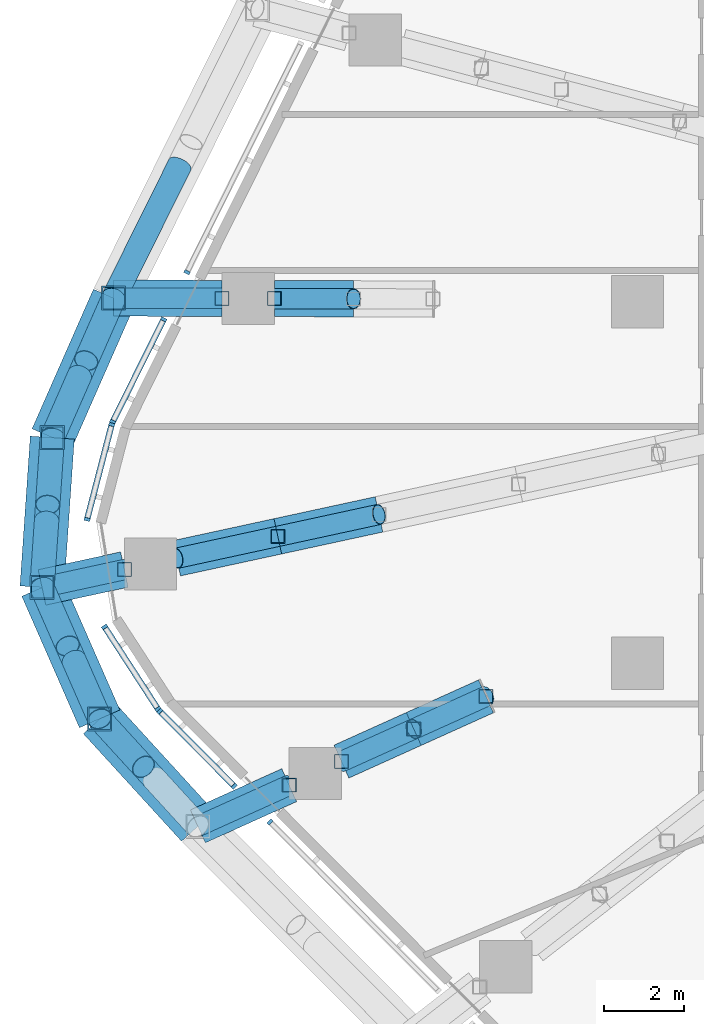
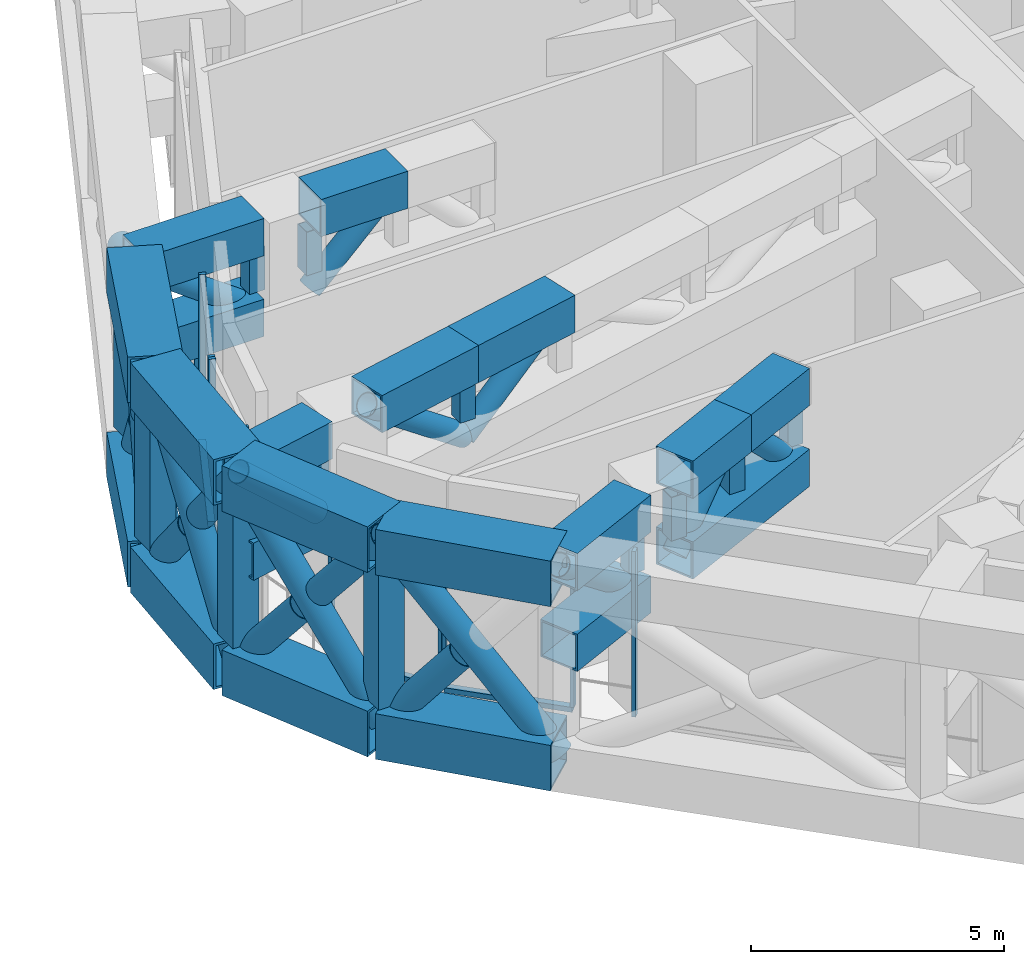
# One storey, part 4 of 30: 66 members, 3 elements without a shape of their own.
"""IFC4 building model written with IfcOpenShell, lengths in metres."""

import ifcopenshell
import ifcopenshell.guid

model = None  # the IFC model being written
_history = None  # IfcOwnerHistory: only IFC2X3 demands one
_inside = {}  # id of a spatial element -> (the spatial element, [elements in it])
_under = {}  # id of a project, library or spatial element -> (it, [spatial elements below it])
_declared = {}  # id of a project -> (the project, [libraries it declares])
_typed = {}  # id of a type object -> (the type object, [elements of that type])
_made_of = {}  # id of a material, layer set ... -> (it, [elements and type objects made of it])


def new_model(schema):
    """Start an empty IFC model of exactly this schema.

    Asked for "IFC4X3", IfcOpenShell would pick the latest addendum, in which some entities
    have other attributes; the version numbers below select the first issue.
    IFC2X3 requires an IfcOwnerHistory on every rooted entity: one is made here for all.
    """
    global model, _history
    if schema == "IFC4X3":
        model = ifcopenshell.file(schema_version=(4, 3, 0, 0))
    else:
        model = ifcopenshell.file(schema=schema)
    _inside.clear()
    _under.clear()
    _declared.clear()
    _typed.clear()
    _made_of.clear()
    _history = None
    if model.schema == "IFC2X3":
        org = make("IfcOrganization", Name="unknown")
        user = make(
            "IfcPersonAndOrganization",
            ThePerson=make("IfcPerson", FamilyName="unknown"),
            TheOrganization=org,
        )
        app = make(
            "IfcApplication",
            ApplicationDeveloper=org,
            Version="unknown",
            ApplicationFullName="unknown",
            ApplicationIdentifier="unknown",
        )
        _history = make(
            "IfcOwnerHistory",
            OwningUser=user,
            OwningApplication=app,
            ChangeAction="ADDED",
            CreationDate=0,
        )
    return model


def make(cls, **values):
    """One entity of the class cls with the attributes given. An attribute that is None is left unset."""
    return model.create_entity(
        cls, **{name: value for name, value in values.items() if value is not None}
    )


def rooted(cls, **values):
    """An entity with a GlobalId (a new one), such as an element, a storey or a relation."""
    return make(cls, GlobalId=ifcopenshell.guid.new(), OwnerHistory=_history, **values)


def si_unit(unit_type, name, prefix=None):
    """IfcSIUnit, for example si_unit("LENGTHUNIT", "METRE", prefix="MILLI")."""
    return make("IfcSIUnit", UnitType=unit_type, Prefix=prefix, Name=name)


def assignment(units):
    """IfcUnitAssignment: the units of a project."""
    return None if units is None else make("IfcUnitAssignment", Units=units)


def point(xyz):
    """IfcCartesianPoint."""
    return None if xyz is None else make("IfcCartesianPoint", Coordinates=xyz)


def direction(xyz):
    """IfcDirection."""
    return None if xyz is None else make("IfcDirection", DirectionRatios=xyz)


def frame(location, z_axis=None, x_axis=None):
    """IfcAxis2Placement3D, a coordinate frame: its origin and axes. An axis left out is left unset."""
    return make(
        "IfcAxis2Placement3D",
        Location=point(location),
        Axis=direction(z_axis),
        RefDirection=direction(x_axis),
    )


def frame_2d(location, x_axis=None):
    """IfcAxis2Placement2D, a coordinate frame in the plane: its origin and x axis."""
    return make(
        "IfcAxis2Placement2D", Location=point(location), RefDirection=direction(x_axis)
    )


def origin():
    """The frame at (0, 0, 0) with its axes left unset."""
    return frame((0.0, 0.0, 0.0))


def origin_2d():
    """The frame at (0, 0) in the plane with its x axis left unset."""
    return frame_2d((0.0, 0.0))


def place(relative_to, where):
    """IfcLocalPlacement: puts the frame where relative to a parent placement (None: the world)."""
    return make(
        "IfcLocalPlacement", PlacementRelTo=relative_to, RelativePlacement=where
    )


def context(
    kind, dimensions, precision=None, world=None, true_north=None, identifier=None
):
    """IfcGeometricRepresentationContext, for example the 3D "Model" context."""
    return make(
        "IfcGeometricRepresentationContext",
        ContextIdentifier=identifier,
        ContextType=kind,
        CoordinateSpaceDimension=dimensions,
        Precision=precision,
        WorldCoordinateSystem=world,
        TrueNorth=true_north,
    )


def subcontext(parent, identifier, kind, view, scale=None):
    """IfcGeometricRepresentationSubContext, for example "Body" below "Model"."""
    return make(
        "IfcGeometricRepresentationSubContext",
        ContextIdentifier=identifier,
        ContextType=kind,
        ParentContext=parent,
        TargetScale=scale,
        TargetView=view,
    )


def project(units=None, contexts=None):
    """IfcProject with its units and contexts."""
    return rooted(
        "IfcProject",
        Name="project",
        RepresentationContexts=contexts,
        UnitsInContext=assignment(units),
    )


def spatial(cls, under=None, at=None, **own):
    """A site, building, storey or space (cls), placed at a placement, below another one or the project."""
    s = rooted(cls, ObjectPlacement=at, **own)
    if under is not None:
        _under.setdefault(under.id(), (under, []))[1].append(s)
    return s


def profile(cls, at=None, kind="AREA", **sizes):
    """A parametric profile (cls). Its sizes go by their IFC names, for example OverallWidth=200.0."""
    return make(cls, ProfileType=kind, Position=at, **sizes)


def rectangle(**sizes):
    """IfcRectangleProfileDef."""
    return profile("IfcRectangleProfileDef", **sizes)


def hollow_rectangle(**sizes):
    """IfcRectangleHollowProfileDef."""
    return profile("IfcRectangleHollowProfileDef", **sizes)


def hollow_circle(**sizes):
    """IfcCircleHollowProfileDef."""
    return profile("IfcCircleHollowProfileDef", **sizes)


def extrude(swept, where, along, depth):
    """IfcExtrudedAreaSolid: the profile swept, set in the frame where, extruded along a direction by depth."""
    return make(
        "IfcExtrudedAreaSolid",
        SweptArea=swept,
        Position=where,
        ExtrudedDirection=direction(along),
        Depth=depth,
    )


def shape(context_of_items, identifier, shape_type, items):
    """IfcShapeRepresentation: the items that make up one representation, for example the "Body"."""
    return make(
        "IfcShapeRepresentation",
        ContextOfItems=context_of_items,
        RepresentationIdentifier=identifier,
        RepresentationType=shape_type,
        Items=items,
    )


def material(Name=None, Category=None):
    """IfcMaterial."""
    return make("IfcMaterial", Name=Name, Category=Category)


def layer(
    of_material, thickness, ventilated=None, Name=None, Category=None, Priority=None
):
    """IfcMaterialLayer: one layer of a wall or slab, of a material (None: an air gap)."""
    return make(
        "IfcMaterialLayer",
        Material=of_material,
        LayerThickness=thickness,
        IsVentilated=ventilated,
        Name=Name,
        Category=Category,
        Priority=Priority,
    )


def layer_set(layers, Name=None):
    """IfcMaterialLayerSet."""
    return make("IfcMaterialLayerSet", MaterialLayers=layers, LayerSetName=Name)


def material_profile(
    of_material, cross_section, Name=None, Category=None, Priority=None
):
    """IfcMaterialProfile: a cross section and its material."""
    return make(
        "IfcMaterialProfile",
        Name=Name,
        Material=of_material,
        Profile=cross_section,
        Priority=Priority,
        Category=Category,
    )


def profile_set(profiles, Name=None, composite=None):
    """IfcMaterialProfileSet."""
    return make(
        "IfcMaterialProfileSet",
        Name=Name,
        MaterialProfiles=profiles,
        CompositeProfile=composite,
    )


def made_of(thing, what):
    """Note that an element or type object is made of a material, layer set ...; save() writes the relation."""
    if what is not None:
        _made_of.setdefault(what.id(), (what, []))[1].append(thing)
    return thing


def type_object(cls, material=None, **own):
    """A type object (cls), such as IfcWallType, which elements share."""
    return made_of(rooted(cls, **own), material)


def element(
    cls,
    number,
    at=None,
    inside=None,
    cuts=None,
    type_object=None,
    material=None,
    context=None,
    identifier="Body",
    shape_type=None,
    held_by="IfcProductDefinitionShape",
    body=None,
    shapes=None,
    **own,
):
    """One element of the class cls, such as IfcWall. Its Tag is "e" and its number.

    at: its placement. inside: the storey or other place that contains it. cuts: it is an
    opening in that element (IfcRelVoidsElement). A single representation is given by context,
    identifier, shape_type and body (its items); several are given by shapes. held_by: the class
    of the entity that holds the representations. save() writes the other relations.
    """
    e = rooted(cls, Tag="e%d" % number, ObjectPlacement=at, **own)
    if body is not None:
        shapes = [shape(context, identifier, shape_type, body)]
    if shapes is not None:
        e.Representation = make(held_by, Representations=shapes)
    if inside is not None:
        _inside.setdefault(inside.id(), (inside, []))[1].append(e)
    if cuts is not None:
        rooted(
            "IfcRelVoidsElement", RelatingBuildingElement=cuts, RelatedOpeningElement=e
        )
    if type_object is not None:
        _typed.setdefault(type_object.id(), (type_object, []))[1].append(e)
    return made_of(e, material)


def aggregate(whole, parts):
    """IfcRelAggregates: a whole, such as a stair, and the parts it consists of."""
    return rooted("IfcRelAggregates", RelatingObject=whole, RelatedObjects=parts)


def save(model, path):
    """Write the relations noted so far, then the file.

    IfcRelAggregates (storeys below a building ...), IfcRelContainedInSpatialStructure (elements
    in a storey), IfcRelDefinesByType, IfcRelAssociatesMaterial and IfcRelDeclares: one each for
    every whole, place, type object, material and project.
    """
    for whole, parts in _under.values():
        aggregate(whole, parts)
    for where, things in _inside.values():
        rooted(
            "IfcRelContainedInSpatialStructure",
            RelatedElements=things,
            RelatingStructure=where,
        )
    for kind, things in _typed.values():
        rooted("IfcRelDefinesByType", RelatedObjects=things, RelatingType=kind)
    for what, things in _made_of.values():
        rooted("IfcRelAssociatesMaterial", RelatedObjects=things, RelatingMaterial=what)
    for by, libraries in _declared.values():
        rooted("IfcRelDeclares", RelatingContext=by, RelatedDefinitions=libraries)
    model.write(path)


model = new_model("IFC4")

# Units and contexts
model_context = context("Model", 3, precision=1e-05, world=origin(), true_north=direction((0.0, 1.0)))
body_context = subcontext(model_context, "Body", "Model", "MODEL_VIEW")
ifc_project = project(units=[si_unit("LENGTHUNIT", "METRE"), si_unit("AREAUNIT", "SQUARE_METRE"), si_unit("VOLUMEUNIT", "CUBIC_METRE"), si_unit("PLANEANGLEUNIT", "RADIAN"), si_unit("MASSUNIT", "GRAM", prefix="KILO")], contexts=[model_context])

# Site, building, storey
site_placement = place(None, origin())
site = spatial("IfcSite", under=ifc_project, at=site_placement, CompositionType="ELEMENT")
building_placement = place(site_placement, origin())
building = spatial("IfcBuilding", under=site, at=building_placement, Name="Dongbaek Canopy Tower", CompositionType="ELEMENT")
storey_placement = place(building_placement, frame((0.0, 0.0, 145.60009765625)))
storey = spatial("IfcBuildingStorey", under=building, at=storey_placement, Name="L32", CompositionType="ELEMENT", Elevation=145.60009765625)

# Members
ifc_material_1 = material(Name="Steel S355", Category="steel")
ifc_material_profile_1 = material_profile(ifc_material_1, hollow_circle(Radius=0.304931640625, WallThickness=0.01611328125, at=origin_2d()), Name="BELT BRACE CHS 610.0x16.0 Steel S355")
ifc_profile_set_1 = profile_set([ifc_material_profile_1], Name="Steel S355")
member_type_1 = type_object("IfcMemberType", Name="BELT BRACE CHS 610.0x16.0 Steel S355", PredefinedType="BRACE", material=ifc_profile_set_1)
member_1_placement = place(storey_placement, frame((-28.94580078125, -13.06298828125, 0.5498046875), z_axis=(-0.426032087695, 0.466474942097, 0.775175972699), x_axis=(-0.738390758255, -0.674373107503, 0.0)))
element("IfcMember", 1, at=member_1_placement, inside=storey, type_object=member_type_1, Name="BELT:L32:7:D0:0", PredefinedType="BRACE", context=body_context, shape_type="SweptSolid", body=[
    extrude(hollow_circle(Radius=0.304931640625, WallThickness=0.01611328125, at=origin_2d()), origin(), (0.0, 0.0, 1.0), 5.740966796875),
])
member_2_placement = place(storey_placement, frame((-31.3916015625, -10.385009765625, 0.5498046875), z_axis=(0.425984560328, -0.466531802912, 0.775167872937), x_axis=(0.738469146598, 0.674287267804, 0.0)))
element("IfcMember", 2, at=member_2_placement, inside=storey, type_object=member_type_1, Name="BELT:L32:7:D0:1", PredefinedType="BRACE", context=body_context, shape_type="SweptSolid", body=[
    extrude(hollow_circle(Radius=0.304931640625, WallThickness=0.01611328125, at=origin_2d()), origin(), (0.0, 0.0, 1.0), 2.55908203125),
])
member_3_placement = place(storey_placement, frame((-31.3916015625, -10.385009765625, 0.5498046875), z_axis=(-0.251479021244, 0.573409811154, 0.779717570885), x_axis=(-0.915797907727, -0.401639380793, 0.0)))
element("IfcMember", 3, at=member_3_placement, inside=storey, type_object=member_type_1, Name="BELT:L32:7:D1:0", PredefinedType="BRACE", context=body_context, shape_type="SweptSolid", body=[
    extrude(hollow_circle(Radius=0.304931640625, WallThickness=0.01611328125, at=origin_2d()), origin(), (0.0, 0.0, 1.0), 5.70751953125),
])
for number, where, z_axis, x_axis, name in (
    (4, (-32.826904296875, -7.1123046875, 0.5498046875), (0.251417245985, -0.573446519406, 0.779710496147), (0.915843648361, 0.401535069151, 0.0), "BELT:L32:7:D1:1"),
    (5, (-31.3916015625, -10.385009765625, 5.0), (-0.25152109603, 0.573368182242, -0.779734612445), (-0.915762461031, -0.401720194869, 0.0), "BELT:L32:7:D1:2"),
):
    element("IfcMember", number, at=place(storey_placement, frame(where, z_axis=z_axis, x_axis=x_axis)), inside=storey, type_object=member_type_1, Name=name, PredefinedType="BRACE", context=body_context, shape_type="SweptSolid", body=[
        extrude(hollow_circle(Radius=0.304931640625, WallThickness=0.01611328125, at=origin_2d()), origin(), (0.0, 0.0, 1.0), 2.541259765625),
    ])
member_4_placement = place(storey_placement, frame((-32.826904296875, -7.1123046875, 0.5498046875), z_axis=(0.04393791395, 0.641720374202, 0.765679058778), x_axis=(-0.997664211535, 0.068309011276, 0.0)))
element("IfcMember", 6, at=member_4_placement, inside=storey, type_object=member_type_1, Name="BELT:L32:8:D0:0", PredefinedType="BRACE", context=body_context, shape_type="SweptSolid", body=[
    extrude(hollow_circle(Radius=0.304931640625, WallThickness=0.01611328125, at=origin_2d()), origin(), (0.0, 0.0, 1.0), 5.81201171875),
])
for number, where, z_axis, x_axis, name in (
    (7, (-32.571533203125, -3.382568359375, 0.5498046875), (-0.043910848168, -0.641737770336, 0.765666031333), (0.997667204321, -0.068265287094, 0.0), "BELT:L32:8:D0:1"),
    (8, (-32.826904296875, -7.1123046875, 5.0), (0.043913497839, 0.641682460921, -0.765712233188), (-0.997666522959, 0.068275244171, 0.0), "BELT:L32:8:D0:2"),
):
    element("IfcMember", number, at=place(storey_placement, frame(where, z_axis=z_axis, x_axis=x_axis)), inside=storey, type_object=member_type_1, Name=name, PredefinedType="BRACE", context=body_context, shape_type="SweptSolid", body=[
        extrude(hollow_circle(Radius=0.304931640625, WallThickness=0.01611328125, at=origin_2d()), origin(), (0.0, 0.0, 1.0), 2.596435546875),
    ])
member_5_placement = place(storey_placement, frame((-32.571533203125, -3.382568359375, 0.5498046875), z_axis=(0.26126202777, 0.594141569862, 0.760748281501), x_axis=(-0.91540603199, 0.402531733651, 0.0)))
element("IfcMember", 9, at=member_5_placement, inside=storey, type_object=member_type_1, Name="BELT:L32:8:D1:0", PredefinedType="BRACE", context=body_context, shape_type="SweptSolid", body=[
    extrude(hollow_circle(Radius=0.304931640625, WallThickness=0.01611328125, at=origin_2d()), origin(), (0.0, 0.0, 1.0), 5.849853515625),
])
for number, where, z_axis, x_axis, name in (
    (10, (-31.043212890625, 0.093017578125, 0.5498046875), (-0.261323273324, -0.594137127851, 0.760730714595), (0.915370149954, -0.402613323888, 0.0), "BELT:L32:8:D1:1"),
    (11, (-32.571533203125, -3.382568359375, 5.0), (0.261221827511, 0.594211995628, -0.760707079686), (-0.915446428539, 0.402439854481, 0.0), "BELT:L32:8:D1:2"),
):
    element("IfcMember", number, at=place(storey_placement, frame(where, z_axis=z_axis, x_axis=x_axis)), inside=storey, type_object=member_type_1, Name=name, PredefinedType="BRACE", context=body_context, shape_type="SweptSolid", body=[
        extrude(hollow_circle(Radius=0.304931640625, WallThickness=0.01611328125, at=origin_2d()), origin(), (0.0, 0.0, 1.0), 2.615966796875),
    ])
member_6_placement = place(storey_placement, frame((-31.043212890625, 0.093017578125, 5.0), z_axis=(0.389303624486, 0.783678107313, -0.484036478047), x_axis=(-0.895583177373, 0.444894113701, 0.0)))
element("IfcMember", 12, at=member_6_placement, inside=storey, type_object=member_type_1, Name="BELT:L32:9:D0:2", PredefinedType="BRACE", context=body_context, shape_type="SweptSolid", body=[
    extrude(hollow_circle(Radius=0.304931640625, WallThickness=0.01611328125, at=origin_2d()), origin(), (0.0, 0.0, 1.0), 4.23681640625),
])
ifc_material_2 = material(Name="Steel S355", Category="steel")
ifc_material_profile_2 = material_profile(ifc_material_2, hollow_rectangle(XDim=1.10009765625, YDim=1.10009765625, WallThickness=0.054931640625, at=origin_2d()), Name="BELT CHORD BOX 1100x1100x55 Steel S355")
ifc_profile_set_2 = profile_set([ifc_material_profile_2], Name="Steel S355")
member_type_2 = type_object("IfcMemberType", Name="BELT CHORD BOX 1100x1100x55 Steel S355", PredefinedType="CHORD", material=ifc_profile_set_2)
for number, where, z_axis, x_axis, name in (
    (13, (-28.94580078125, -13.06298828125, 0.5498046875), (-0.674373107503, 0.738390758255, 0.0), (-0.738390758255, -0.674373107503, 0.0), "BELT:L32:7:CB0"),
    (14, (-28.94580078125, -13.06298828125, 5.0), (-0.674373107503, 0.738390758255, 0.0), (-0.738390758255, -0.674373107503, 0.0), "BELT:L32:7:CT0"),
):
    element("IfcMember", number, at=place(storey_placement, frame(where, z_axis=z_axis, x_axis=x_axis)), inside=storey, type_object=member_type_2, Name=name, PredefinedType="CHORD", context=body_context, shape_type="SweptSolid", body=[
        extrude(hollow_rectangle(XDim=1.10009765625, YDim=1.10009765625, WallThickness=0.054931640625, at=origin_2d()), origin(), (0.0, 0.0, 1.0), 3.626708984375),
    ])
for number, where, z_axis, x_axis, name in (
    (15, (-31.3916015625, -10.385009765625, 0.5498046875), (-0.401639380793, 0.915797907727, 0.0), (-0.915797907727, -0.401639380793, 0.0), "BELT:L32:7:CB1"),
    (16, (-31.3916015625, -10.385009765625, 5.0), (-0.401639380793, 0.915797907727, 0.0), (-0.915797907727, -0.401639380793, 0.0), "BELT:L32:7:CT1"),
):
    element("IfcMember", number, at=place(storey_placement, frame(where, z_axis=z_axis, x_axis=x_axis)), inside=storey, type_object=member_type_2, Name=name, PredefinedType="CHORD", context=body_context, shape_type="SweptSolid", body=[
        extrude(hollow_rectangle(XDim=1.10009765625, YDim=1.10009765625, WallThickness=0.054931640625, at=origin_2d()), origin(), (0.0, 0.0, 1.0), 3.57373046875),
    ])
for number, where, z_axis, x_axis, name in (
    (17, (-32.826904296875, -7.1123046875, 0.5498046875), (0.068309011276, 0.997664211535, 0.0), (-0.997664211535, 0.068309011276, 0.0), "BELT:L32:8:CB0"),
    (18, (-32.826904296875, -7.1123046875, 5.0), (0.068309011276, 0.997664211535, 0.0), (-0.997664211535, 0.068309011276, 0.0), "BELT:L32:8:CT0"),
):
    element("IfcMember", number, at=place(storey_placement, frame(where, z_axis=z_axis, x_axis=x_axis)), inside=storey, type_object=member_type_2, Name=name, PredefinedType="CHORD", context=body_context, shape_type="SweptSolid", body=[
        extrude(hollow_rectangle(XDim=1.10009765625, YDim=1.10009765625, WallThickness=0.054931640625, at=origin_2d()), origin(), (0.0, 0.0, 1.0), 3.738525390625),
    ])
for number, where, z_axis, x_axis, name in (
    (19, (-32.571533203125, -3.382568359375, 0.5498046875), (0.402531733651, 0.91540603199, 0.0), (-0.91540603199, 0.402531733651, 0.0), "BELT:L32:8:CB1"),
    (20, (-32.571533203125, -3.382568359375, 5.0), (0.402531733651, 0.91540603199, 0.0), (-0.91540603199, 0.402531733651, 0.0), "BELT:L32:8:CT1"),
):
    element("IfcMember", number, at=place(storey_placement, frame(where, z_axis=z_axis, x_axis=x_axis)), inside=storey, type_object=member_type_2, Name=name, PredefinedType="CHORD", context=body_context, shape_type="SweptSolid", body=[
        extrude(hollow_rectangle(XDim=1.10009765625, YDim=1.10009765625, WallThickness=0.054931640625, at=origin_2d()), origin(), (0.0, 0.0, 1.0), 3.796875),
    ])
ifc_material_3 = material(Name="Steel S355", Category="steel")
ifc_material_profile_3 = material_profile(ifc_material_3, hollow_rectangle(XDim=0.60009765625, YDim=0.60009765625, WallThickness=0.031982421875, at=origin_2d()), Name="BELT POST BOX 600x600x32 Steel S355")
ifc_profile_set_3 = profile_set([ifc_material_profile_3], Name="Steel S355")
member_type_3 = type_object("IfcMemberType", Name="BELT POST BOX 600x600x32 Steel S355", PredefinedType="POST", material=ifc_profile_set_3)
for number, where, z_axis, x_axis, name in (
    (21, (-31.3916015625, -10.385009765625, 1.099853515625), (0.0, 0.0, 1.0), (1.0, 0.0, 0.0), "BELT:L32:7:P1"),
    (22, (-32.826904296875, -7.1123046875, 1.099853515625), (0.0, 0.0, 1.0), (1.0, 0.0, 0.0), "BELT:L32:8:P0"),
    (23, (-32.571533203125, -3.382568359375, 1.099853515625), (0.0, 0.0, 1.0), (1.0, 0.0, 0.0), "BELT:L32:8:P1"),
    (24, (-31.043212890625, 0.093017578125, 1.099853515625), (0.0, 0.0, 1.0), (1.0, 0.0, 0.0), "BELT:L32:9:P0"),
):
    element("IfcMember", number, at=place(storey_placement, frame(where, z_axis=z_axis, x_axis=x_axis)), inside=storey, type_object=member_type_3, Name=name, PredefinedType="POST", context=body_context, shape_type="SweptSolid", body=[
        extrude(hollow_rectangle(XDim=0.60009765625, YDim=0.60009765625, WallThickness=0.031982421875, at=origin_2d()), origin(), (0.0, 0.0, 1.0), 3.35009765625),
    ])
ifc_material_4 = material(Name="Steel S355", Category="steel")
ifc_material_profile_4 = material_profile(ifc_material_4, hollow_circle(Radius=0.25390625, WallThickness=0.01611328125, at=origin_2d()), Name="BRACE CHS 508.0x16.0 Steel S355")
ifc_profile_set_4 = profile_set([ifc_material_profile_4], Name="Steel S355")
member_type_4 = type_object("IfcMemberType", Name="BRACE CHS 508.0x16.0 Steel S355", PredefinedType="BRACE", material=ifc_profile_set_4)
member_7_placement = place(storey_placement, frame((-21.7705078125, -9.824951171875, 3.14990234375), z_axis=(-0.648648985083, -0.292657332977, 0.702571120675), x_axis=(0.411258807474, -0.91151861927, 0.0)))
element("IfcMember", 25, at=member_7_placement, inside=storey, type_object=member_type_4, Name="TRUSS:L32:7:D0", PredefinedType="BRACE", context=body_context, shape_type="SweptSolid", body=[
    extrude(hollow_circle(Radius=0.25390625, WallThickness=0.01611328125, at=origin_2d()), origin(), (0.0, 0.0, 1.0), 2.775390625),
])
member_8_placement = place(storey_placement, frame((-23.57080078125, -10.63720703125, 5.099853515625), z_axis=(-0.648632284783, -0.292737760206, -0.702553032081), x_axis=(0.411361505094, -0.911472277212, 0.0)))
element("IfcMember", 26, at=member_8_placement, inside=storey, type_object=member_type_4, Name="TRUSS:L32:7:D1", PredefinedType="BRACE", context=body_context, shape_type="SweptSolid", body=[
    extrude(hollow_circle(Radius=0.25390625, WallThickness=0.01611328125, at=origin_2d()), origin(), (0.0, 0.0, 1.0), 2.775634765625),
])
member_9_placement = place(storey_placement, frame((-25.068115234375, 0.0751953125, 5.099853515625), z_axis=(-0.711577367215, 0.002111244507, -0.702604578062), x_axis=(-0.002966979152, -0.999995598508, 0.0)))
element("IfcMember", 27, at=member_9_placement, inside=storey, type_object=member_type_4, Name="TRUSS:L32:9:D1", PredefinedType="BRACE", context=body_context, shape_type="SweptSolid", body=[
    extrude(hollow_circle(Radius=0.25390625, WallThickness=0.01611328125, at=origin_2d()), origin(), (0.0, 0.0, 1.0), 2.775390625),
])
member_10_placement = place(storey_placement, frame((-26.6708984375, -12.036376953125, 3.14990234375), z_axis=(-0.718259746767, -0.324134174196, 0.615662223377), x_axis=(0.411332476254, -0.91148537782, 0.0)))
element("IfcMember", 28, at=member_10_placement, inside=storey, type_object=member_type_4, Name="TRUSS:L32:7x:D0", PredefinedType="BRACE", context=body_context, shape_type="SweptSolid", body=[
    extrude(hollow_circle(Radius=0.25390625, WallThickness=0.01611328125, at=origin_2d()), origin(), (0.0, 0.0, 1.0), 3.167236328125),
])
member_11_placement = place(storey_placement, frame((-30.77490234375, -6.667724609375, 3.14990234375), z_axis=(-0.716124267147, -0.155153157701, 0.68050975868), x_axis=(0.211744091569, -0.977325145326, 0.0)))
element("IfcMember", 29, at=member_11_placement, inside=storey, type_object=member_type_4, Name="TRUSS:L32:8x:D0", PredefinedType="BRACE", context=body_context, shape_type="SweptSolid", body=[
    extrude(hollow_circle(Radius=0.25390625, WallThickness=0.01611328125, at=origin_2d()), origin(), (0.0, 0.0, 1.0), 2.865478515625),
])
member_12_placement = place(storey_placement, frame((-28.343017578125, 0.0849609375, 3.14990234375), z_axis=(-0.810703916061, 0.002418917652, 0.585451372294), x_axis=(-0.002983711854, -0.999995548722, 0.0)))
element("IfcMember", 30, at=member_12_placement, inside=storey, type_object=member_type_4, Name="TRUSS:L32:9x:D0", PredefinedType="BRACE", context=body_context, shape_type="SweptSolid", body=[
    extrude(hollow_circle(Radius=0.25390625, WallThickness=0.01611328125, at=origin_2d()), origin(), (0.0, 0.0, 1.0), 3.33056640625),
])
ifc_material_5 = material(Name="Steel S355", Category="steel")
ifc_material_profile_5 = material_profile(ifc_material_5, hollow_rectangle(XDim=0.89990234375, YDim=0.89990234375, WallThickness=0.044921875, at=origin_2d()), Name="CHORD BOX 900x900x45 Steel S355")
ifc_profile_set_5 = profile_set([ifc_material_profile_5], Name="Steel S355")
member_type_5 = type_object("IfcMemberType", Name="CHORD BOX 900x900x45 Steel S355", PredefinedType="CHORD", material=ifc_profile_set_5)
member_13_placement = place(storey_placement, frame((-21.7705078125, -9.824951171875, 3.14990234375), z_axis=(-0.911495449098, -0.411310158242, 0.0), x_axis=(0.411310158242, -0.911495449098, 0.0)))
element("IfcMember", 31, at=member_13_placement, inside=storey, type_object=member_type_5, Name="TRUSS:L32:7:CB", PredefinedType="CHORD", context=body_context, shape_type="SweptSolid", body=[
    extrude(hollow_rectangle(XDim=0.89990234375, YDim=0.89990234375, WallThickness=0.044921875, at=origin_2d()), origin(), (0.0, 0.0, 1.0), 3.9501953125),
])
for number, where, z_axis, x_axis, name in (
    (32, (-21.7705078125, -9.824951171875, 5.099853515625), (-0.91151861927, -0.411258807474, 0.0), (0.411258807474, -0.91151861927, 0.0), "TRUSS:L32:7:CT0"),
    (33, (-23.57080078125, -10.63720703125, 5.099853515625), (-0.911472277212, -0.411361505094, 0.0), (0.411361505094, -0.911472277212, 0.0), "TRUSS:L32:7:CT1"),
):
    element("IfcMember", number, at=place(storey_placement, frame(where, z_axis=z_axis, x_axis=x_axis)), inside=storey, type_object=member_type_5, Name=name, PredefinedType="CHORD", context=body_context, shape_type="SweptSolid", body=[
        extrude(hollow_rectangle(XDim=0.89990234375, YDim=0.89990234375, WallThickness=0.044921875, at=origin_2d()), origin(), (0.0, 0.0, 1.0), 1.97509765625),
    ])
member_14_placement = place(storey_placement, frame((-25.068115234375, 0.0751953125, 5.099853515625), z_axis=(-0.999995598508, 0.002966979152, 0.0), x_axis=(-0.002966979152, -0.999995598508, 0.0)))
element("IfcMember", 34, at=member_14_placement, inside=storey, type_object=member_type_5, Name="TRUSS:L32:9:CT1", PredefinedType="CHORD", context=body_context, shape_type="SweptSolid", body=[
    extrude(hollow_rectangle(XDim=0.89990234375, YDim=0.89990234375, WallThickness=0.044921875, at=origin_2d()), origin(), (0.0, 0.0, 1.0), 1.974853515625),
])
for number, where, z_axis, x_axis, name in (
    (35, (-26.6708984375, -12.036376953125, 3.14990234375), (-0.91148537782, -0.411332476254, 0.0), (0.411332476254, -0.91148537782, 0.0), "TRUSS:L32:7x:CB"),
    (36, (-26.6708984375, -12.036376953125, 5.099853515625), (-0.91148537782, -0.411332476254, 0.0), (0.411332476254, -0.91148537782, 0.0), "TRUSS:L32:7x:CT0"),
):
    element("IfcMember", number, at=place(storey_placement, frame(where, z_axis=z_axis, x_axis=x_axis)), inside=storey, type_object=member_type_5, Name=name, PredefinedType="CHORD", context=body_context, shape_type="SweptSolid", body=[
        extrude(hollow_rectangle(XDim=0.89990234375, YDim=0.89990234375, WallThickness=0.044921875, at=origin_2d()), origin(), (0.0, 0.0, 1.0), 2.495849609375),
    ])
for number, where, z_axis, x_axis, name in (
    (37, (-30.77490234375, -6.667724609375, 3.14990234375), (-0.977325145326, -0.211744091569, 0.0), (0.211744091569, -0.977325145326, 0.0), "TRUSS:L32:8x:CB"),
    (38, (-30.77490234375, -6.667724609375, 5.099853515625), (-0.977325145326, -0.211744091569, 0.0), (0.211744091569, -0.977325145326, 0.0), "TRUSS:L32:8x:CT0"),
):
    element("IfcMember", number, at=place(storey_placement, frame(where, z_axis=z_axis, x_axis=x_axis)), inside=storey, type_object=member_type_5, Name=name, PredefinedType="CHORD", context=body_context, shape_type="SweptSolid", body=[
        extrude(hollow_rectangle(XDim=0.89990234375, YDim=0.89990234375, WallThickness=0.044921875, at=origin_2d()), origin(), (0.0, 0.0, 1.0), 2.099609375),
    ])
for number, where, z_axis, x_axis, name in (
    (39, (-28.343017578125, 0.0849609375, 3.14990234375), (-0.999995548722, 0.002983711854, 0.0), (-0.002983711854, -0.999995548722, 0.0), "TRUSS:L32:9x:CB"),
    (40, (-28.343017578125, 0.0849609375, 5.099853515625), (-0.999995548722, 0.002983711854, 0.0), (-0.002983711854, -0.999995548722, 0.0), "TRUSS:L32:9x:CT0"),
):
    element("IfcMember", number, at=place(storey_placement, frame(where, z_axis=z_axis, x_axis=x_axis)), inside=storey, type_object=member_type_5, Name=name, PredefinedType="CHORD", context=body_context, shape_type="SweptSolid", body=[
        extrude(hollow_rectangle(XDim=0.89990234375, YDim=0.89990234375, WallThickness=0.044921875, at=origin_2d()), origin(), (0.0, 0.0, 1.0), 2.7001953125),
    ])

# Curtain wall, members
ifc_material_6 = material(Name="Aluminium 6063-T6 pale anodised", Category="aluminium")
ifc_layer = layer(ifc_material_6, 0.14990234375)
ifc_layer_set = layer_set([ifc_layer], Name="CW-7 louvre curtain wall")
curtain_wall_type = type_object("IfcCurtainWallType", Name="CW-7 louvre curtain wall", PredefinedType="NOTDEFINED", material=ifc_layer_set)
curtain_wall_1_placement = place(storey_placement, origin())
curtain_wall_1 = element("IfcCurtainWall", 41, at=curtain_wall_1_placement, inside=storey, type_object=curtain_wall_type, Name="CW-7 louvre wall L32 F2", PredefinedType="NOTDEFINED")
ifc_material_7 = material(Name="Aluminium 6063-T6 pale anodised", Category="aluminium")
ifc_material_profile_6 = material_profile(ifc_material_7, rectangle(XDim=0.14990234375, YDim=0.080078125, at=origin_2d()), Name="CW-7 mullion 80 x 150")
ifc_profile_set_6 = profile_set([ifc_material_profile_6], Name="Aluminium 6063-T6 pale anodised")
member_type_6 = type_object("IfcMemberType", Name="CW-7 mullion 80 x 150", PredefinedType="MULLION", material=ifc_profile_set_6)
member_15_placement = place(storey_placement, frame((-29.216552734375, 0.735595703125, 0.77490234375), z_axis=(0.0, 0.0, 1.0), x_axis=(-0.895565680556, 0.444929333502, 0.0)))
member_15 = element("IfcMember", 42, at=member_15_placement, type_object=member_type_6, Name="CW-7 mullion L32 F2.4.2", PredefinedType="MULLION", context=body_context, shape_type="SweptSolid", body=[
    extrude(rectangle(XDim=0.14990234375, YDim=0.080078125, at=origin_2d()), origin(), (0.0, 0.0, 1.0), 4.0),
])
member_16_placement = place(storey_placement, frame((-29.79931640625, -0.437255859375, 0.77490234375), z_axis=(0.0, 0.0, 1.0), x_axis=(-0.895565680556, 0.444929333502, 0.0)))
member_16 = element("IfcMember", 43, at=member_16_placement, type_object=member_type_6, Name="CW-7 mullion L32 F2.5.1", PredefinedType="MULLION", context=body_context, shape_type="SweptSolid", body=[
    extrude(rectangle(XDim=0.14990234375, YDim=0.080078125, at=origin_2d()), origin(), (0.0, 0.0, 1.0), 4.0),
])
member_17_placement = place(storey_placement, frame((-31.06689453125, -2.98876953125, 0.77490234375), z_axis=(0.0, 0.0, 1.0), x_axis=(-0.895565680556, 0.444929333502, 0.0)))
member_17 = element("IfcMember", 44, at=member_17_placement, type_object=member_type_6, Name="CW-7 mullion L32 F2.5.2", PredefinedType="MULLION", context=body_context, shape_type="SweptSolid", body=[
    extrude(rectangle(XDim=0.14990234375, YDim=0.080078125, at=origin_2d()), origin(), (0.0, 0.0, 1.0), 4.0),
])

curtain_wall_2_placement = place(storey_placement, origin())
curtain_wall_2 = element("IfcCurtainWall", 45, at=curtain_wall_2_placement, inside=storey, type_object=curtain_wall_type, Name="CW-7 louvre wall L32 K3", PredefinedType="NOTDEFINED")
member_18_placement = place(storey_placement, frame((-31.09228515625, -3.056640625, 0.77490234375), z_axis=(0.0, 0.0, 1.0), x_axis=(-0.967997871147, 0.250958405827, 0.0)))
member_18 = element("IfcMember", 46, at=member_18_placement, type_object=member_type_6, Name="CW-7 mullion L32 K3.1.1", PredefinedType="MULLION", context=body_context, shape_type="SweptSolid", body=[
    extrude(rectangle(XDim=0.14990234375, YDim=0.080078125, at=origin_2d()), origin(), (0.0, 0.0, 1.0), 4.0),
])
member_19_placement = place(storey_placement, frame((-31.70458984375, -5.41845703125, 0.77490234375), z_axis=(0.0, 0.0, 1.0), x_axis=(-0.967997871147, 0.250958405827, 0.0)))
member_19 = element("IfcMember", 47, at=member_19_placement, type_object=member_type_6, Name="CW-7 mullion L32 K3.1.2", PredefinedType="MULLION", context=body_context, shape_type="SweptSolid", body=[
    extrude(rectangle(XDim=0.14990234375, YDim=0.080078125, at=origin_2d()), origin(), (0.0, 0.0, 1.0), 4.0),
])
member_20_placement = place(storey_placement, frame((-31.26953125, -8.0947265625, 0.77490234375), z_axis=(0.0, 0.0, 1.0), x_axis=(-0.838631536936, -0.544699132785, 0.0)))
member_20 = element("IfcMember", 48, at=member_20_placement, type_object=member_type_6, Name="CW-7 mullion L32 K3.2.1", PredefinedType="MULLION", context=body_context, shape_type="SweptSolid", body=[
    extrude(rectangle(XDim=0.14990234375, YDim=0.080078125, at=origin_2d()), origin(), (0.0, 0.0, 1.0), 4.0),
])
member_21_placement = place(storey_placement, frame((-29.9404296875, -10.140869140625, 0.77490234375), z_axis=(0.0, 0.0, 1.0), x_axis=(-0.838631536936, -0.544699132785, 0.0)))
member_21 = element("IfcMember", 49, at=member_21_placement, type_object=member_type_6, Name="CW-7 mullion L32 K3.2.2", PredefinedType="MULLION", context=body_context, shape_type="SweptSolid", body=[
    extrude(rectangle(XDim=0.14990234375, YDim=0.080078125, at=origin_2d()), origin(), (0.0, 0.0, 1.0), 4.0),
])

curtain_wall_3_placement = place(storey_placement, origin())
curtain_wall_3 = element("IfcCurtainWall", 50, at=curtain_wall_3_placement, inside=storey, type_object=curtain_wall_type, Name="CW-7 louvre wall L32 F3", PredefinedType="NOTDEFINED")
member_22_placement = place(storey_placement, frame((-29.89501953125, -10.197021484375, 0.77490234375), z_axis=(0.0, 0.0, 1.0), x_axis=(-0.708479154412, -0.705731739235, 0.0)))
member_22 = element("IfcMember", 51, at=member_22_placement, type_object=member_type_6, Name="CW-7 mullion L32 F3.1.1", PredefinedType="MULLION", context=body_context, shape_type="SweptSolid", body=[
    extrude(rectangle(XDim=0.14990234375, YDim=0.080078125, at=origin_2d()), origin(), (0.0, 0.0, 1.0), 4.0),
])
member_23_placement = place(storey_placement, frame((-28.039306640625, -12.059814453125, 0.77490234375), z_axis=(0.0, 0.0, 1.0), x_axis=(-0.708479154412, -0.705731739235, 0.0)))
member_23 = element("IfcMember", 52, at=member_23_placement, type_object=member_type_6, Name="CW-7 mullion L32 F3.1.2", PredefinedType="MULLION", context=body_context, shape_type="SweptSolid", body=[
    extrude(rectangle(XDim=0.14990234375, YDim=0.080078125, at=origin_2d()), origin(), (0.0, 0.0, 1.0), 4.0),
])
member_24_placement = place(storey_placement, frame((-27.150390625, -12.952392578125, 0.77490234375), z_axis=(0.0, 0.0, 1.0), x_axis=(-0.708479154412, -0.705731739235, 0.0)))
member_24 = element("IfcMember", 53, at=member_24_placement, type_object=member_type_6, Name="CW-7 mullion L32 F3.2.1", PredefinedType="MULLION", context=body_context, shape_type="SweptSolid", body=[
    extrude(rectangle(XDim=0.14990234375, YDim=0.080078125, at=origin_2d()), origin(), (0.0, 0.0, 1.0), 4.0),
])

# Member
ifc_material_8 = material(Name="Aluminium 6063-T6 pale anodised", Category="aluminium")
ifc_material_profile_7 = material_profile(ifc_material_8, rectangle(XDim=0.14990234375, YDim=0.1201171875, at=origin_2d()), Name="CW-7 transom 120 x 150")
ifc_profile_set_7 = profile_set([ifc_material_profile_7], Name="Aluminium 6063-T6 pale anodised")
member_type_7 = type_object("IfcMemberType", Name="CW-7 transom 120 x 150", PredefinedType="USERDEFINED", material=ifc_profile_set_7)
member_25_placement = place(storey_placement, frame((-29.79931640625, -0.437255859375, 0.71484375), z_axis=(-0.444915561792, -0.895572522398, 0.0), x_axis=(0.895572522398, -0.444915561792, 0.0)))
member_25 = element("IfcMember", 54, at=member_25_placement, type_object=member_type_7, Name="CW-7 transom L32 F2.5", ObjectType="TRANSOM", PredefinedType="USERDEFINED", context=body_context, shape_type="SweptSolid", body=[
    extrude(rectangle(XDim=0.14990234375, YDim=0.1201171875, at=origin_2d()), origin(), (0.0, 0.0, 1.0), 2.84912109375),
])

aggregate(curtain_wall_1, [member_15, member_25, member_16, member_17])

member_26_placement = place(storey_placement, frame((-31.09228515625, -3.056640625, 0.71484375), z_axis=(-0.250955213608, -0.96799869874, 0.0), x_axis=(0.96799869874, -0.250955213608, 0.0)))
member_26 = element("IfcMember", 55, at=member_26_placement, type_object=member_type_7, Name="CW-7 transom L32 K3.1", ObjectType="TRANSOM", PredefinedType="USERDEFINED", context=body_context, shape_type="SweptSolid", body=[
    extrude(rectangle(XDim=0.14990234375, YDim=0.1201171875, at=origin_2d()), origin(), (0.0, 0.0, 1.0), 2.43994140625),
])

member_27_placement = place(storey_placement, frame((-31.26953125, -8.0947265625, 0.71484375), z_axis=(0.544731578252, -0.838610462405, 0.0), x_axis=(0.838610462405, 0.544731578252, 0.0)))
member_27 = element("IfcMember", 56, at=member_27_placement, type_object=member_type_7, Name="CW-7 transom L32 K3.2", ObjectType="TRANSOM", PredefinedType="USERDEFINED", context=body_context, shape_type="SweptSolid", body=[
    extrude(rectangle(XDim=0.14990234375, YDim=0.1201171875, at=origin_2d()), origin(), (0.0, 0.0, 1.0), 2.43994140625),
])

aggregate(curtain_wall_2, [member_26, member_18, member_19, member_27, member_20, member_21])

member_28_placement = place(storey_placement, frame((-29.89501953125, -10.197021484375, 0.71484375), z_axis=(0.705759162425, -0.708451836509, 0.0), x_axis=(0.708451836509, 0.705759162425, 0.0)))
member_28 = element("IfcMember", 57, at=member_28_placement, type_object=member_type_7, Name="CW-7 transom L32 F3.1", ObjectType="TRANSOM", PredefinedType="USERDEFINED", context=body_context, shape_type="SweptSolid", body=[
    extrude(rectangle(XDim=0.14990234375, YDim=0.1201171875, at=origin_2d()), origin(), (0.0, 0.0, 1.0), 2.62939453125),
])

aggregate(curtain_wall_3, [member_28, member_22, member_23, member_24])

# Members
ifc_material_9 = material(Name="Steel S355", Category="steel")
ifc_material_profile_8 = material_profile(ifc_material_9, hollow_circle(Radius=0.25390625, WallThickness=0.01611328125, at=origin_2d()), Name="OUTRIGGER BRACE CHS 508.0x16.0 Steel S355")
ifc_profile_set_8 = profile_set([ifc_material_profile_8], Name="Steel S355")
member_type_8 = type_object("IfcMemberType", Name="OUTRIGGER BRACE CHS 508.0x16.0 Steel S355", PredefinedType="BRACE", material=ifc_profile_set_8)
member_29_placement = place(storey_placement, frame((-24.43505859375, -5.294189453125, 5.099853515625), z_axis=(-0.779522878485, -0.16886389811, -0.603182448214), x_axis=(0.211714156719, -0.977331630433, 0.0)))
element("IfcMember", 58, at=member_29_placement, inside=storey, type_object=member_type_8, Name="TRUSS:L32:8:D3", PredefinedType="BRACE", context=body_context, shape_type="SweptSolid", body=[
    extrude(hollow_circle(Radius=0.25390625, WallThickness=0.01611328125, at=origin_2d()), origin(), (0.0, 0.0, 1.0), 3.232666015625),
])
member_30_placement = place(storey_placement, frame((-26.955078125, -5.840087890625, 3.14990234375), z_axis=(-0.779512935439, -0.168937263764, 0.603174754442), x_axis=(0.211804594302, -0.977312035039, 0.0)))
element("IfcMember", 59, at=member_30_placement, inside=storey, type_object=member_type_8, Name="TRUSS:L32:8:D4", PredefinedType="BRACE", context=body_context, shape_type="SweptSolid", body=[
    extrude(hollow_circle(Radius=0.25390625, WallThickness=0.01611328125, at=origin_2d()), origin(), (0.0, 0.0, 1.0), 3.23291015625),
])
ifc_material_10 = material(Name="Steel S355", Category="steel")
ifc_material_profile_9 = material_profile(ifc_material_10, hollow_rectangle(XDim=0.89990234375, YDim=0.89990234375, WallThickness=0.044921875, at=origin_2d()), Name="OUTRIGGER CHORD BOX 900x900x45 Steel S355")
ifc_profile_set_9 = profile_set([ifc_material_profile_9], Name="Steel S355")
member_type_9 = type_object("IfcMemberType", Name="OUTRIGGER CHORD BOX 900x900x45 Steel S355", PredefinedType="CHORD", material=ifc_profile_set_9)
member_31_placement = place(storey_placement, frame((-24.43505859375, -5.294189453125, 5.099853515625), z_axis=(-0.977331630433, -0.211714156719, 0.0), x_axis=(0.211714156719, -0.977331630433, 0.0)))
element("IfcMember", 60, at=member_31_placement, inside=storey, type_object=member_type_9, Name="TRUSS:L32:8:CT3", PredefinedType="CHORD", context=body_context, shape_type="SweptSolid", body=[
    extrude(hollow_rectangle(XDim=0.89990234375, YDim=0.89990234375, WallThickness=0.044921875, at=origin_2d()), origin(), (0.0, 0.0, 1.0), 2.578369140625),
])
member_32_placement = place(storey_placement, frame((-26.955078125, -5.840087890625, 5.099853515625), z_axis=(-0.977312035039, -0.211804594302, 0.0), x_axis=(0.211804594302, -0.977312035039, 0.0)))
element("IfcMember", 61, at=member_32_placement, inside=storey, type_object=member_type_9, Name="TRUSS:L32:8:CT4", PredefinedType="CHORD", context=body_context, shape_type="SweptSolid", body=[
    extrude(hollow_rectangle(XDim=0.89990234375, YDim=0.89990234375, WallThickness=0.044921875, at=origin_2d()), origin(), (0.0, 0.0, 1.0), 2.57861328125),
])
ifc_material_11 = material(Name="Steel S355", Category="steel")
ifc_material_profile_10 = material_profile(ifc_material_11, hollow_rectangle(XDim=0.35009765625, YDim=0.35009765625, WallThickness=0.01611328125, at=origin_2d()), Name="OUTRIGGER POST SHS 350x350x16 Steel S355")
ifc_profile_set_10 = profile_set([ifc_material_profile_10], Name="Steel S355")
member_type_10 = type_object("IfcMemberType", Name="OUTRIGGER POST SHS 350x350x16 Steel S355", PredefinedType="POST", material=ifc_profile_set_10)
member_33_placement = place(storey_placement, frame((-26.955078125, -5.840087890625, 3.599853515625), z_axis=(0.0, 0.0, 1.0), x_axis=(1.0, 0.0, 0.0)))
element("IfcMember", 62, at=member_33_placement, inside=storey, type_object=member_type_10, Name="TRUSS:L32:8:P4", PredefinedType="POST", context=body_context, shape_type="SweptSolid", body=[
    extrude(hollow_rectangle(XDim=0.35009765625, YDim=0.35009765625, WallThickness=0.01611328125, at=origin_2d()), origin(), (0.0, 0.0, 1.0), 1.050048828125),
])
ifc_material_12 = material(Name="Steel S355", Category="steel")
ifc_material_profile_11 = material_profile(ifc_material_12, hollow_rectangle(XDim=0.35009765625, YDim=0.35009765625, WallThickness=0.01611328125, at=origin_2d()), Name="POST SHS 350x350x16 Steel S355")
ifc_profile_set_11 = profile_set([ifc_material_profile_11], Name="Steel S355")
member_type_11 = type_object("IfcMemberType", Name="POST SHS 350x350x16 Steel S355", PredefinedType="POST", material=ifc_profile_set_11)
for number, where, z_axis, x_axis, name in (
    (63, (-21.7705078125, -9.824951171875, 3.599853515625), (0.0, 0.0, 1.0), (1.0, 0.0, 0.0), "TRUSS:L32:7:P0"),
    (64, (-23.57080078125, -10.63720703125, 3.599853515625), (0.0, 0.0, 1.0), (1.0, 0.0, 0.0), "TRUSS:L32:7:P1"),
    (65, (-25.37109375, -11.44970703125, 3.599853515625), (0.0, 0.0, 1.0), (1.0, 0.0, 0.0), "TRUSS:L32:7:P2"),
    (66, (-27.04296875, 0.0810546875, 3.599853515625), (0.0, 0.0, 1.0), (1.0, 0.0, 0.0), "TRUSS:L32:9:P2"),
    (67, (-26.6708984375, -12.036376953125, 3.599853515625), (0.0, 0.0, 1.0), (1.0, 0.0, 0.0), "TRUSS:L32:7x:P0"),
    (68, (-30.77490234375, -6.667724609375, 3.599853515625), (0.0, 0.0, 1.0), (1.0, 0.0, 0.0), "TRUSS:L32:8x:P0"),
    (69, (-28.343017578125, 0.0849609375, 3.599853515625), (0.0, 0.0, 1.0), (1.0, 0.0, 0.0), "TRUSS:L32:9x:P0"),
):
    element("IfcMember", number, at=place(storey_placement, frame(where, z_axis=z_axis, x_axis=x_axis)), inside=storey, type_object=member_type_11, Name=name, PredefinedType="POST", context=body_context, shape_type="SweptSolid", body=[
        extrude(hollow_rectangle(XDim=0.35009765625, YDim=0.35009765625, WallThickness=0.01611328125, at=origin_2d()), origin(), (0.0, 0.0, 1.0), 1.050048828125),
    ])

save(model, "model.ifc")
